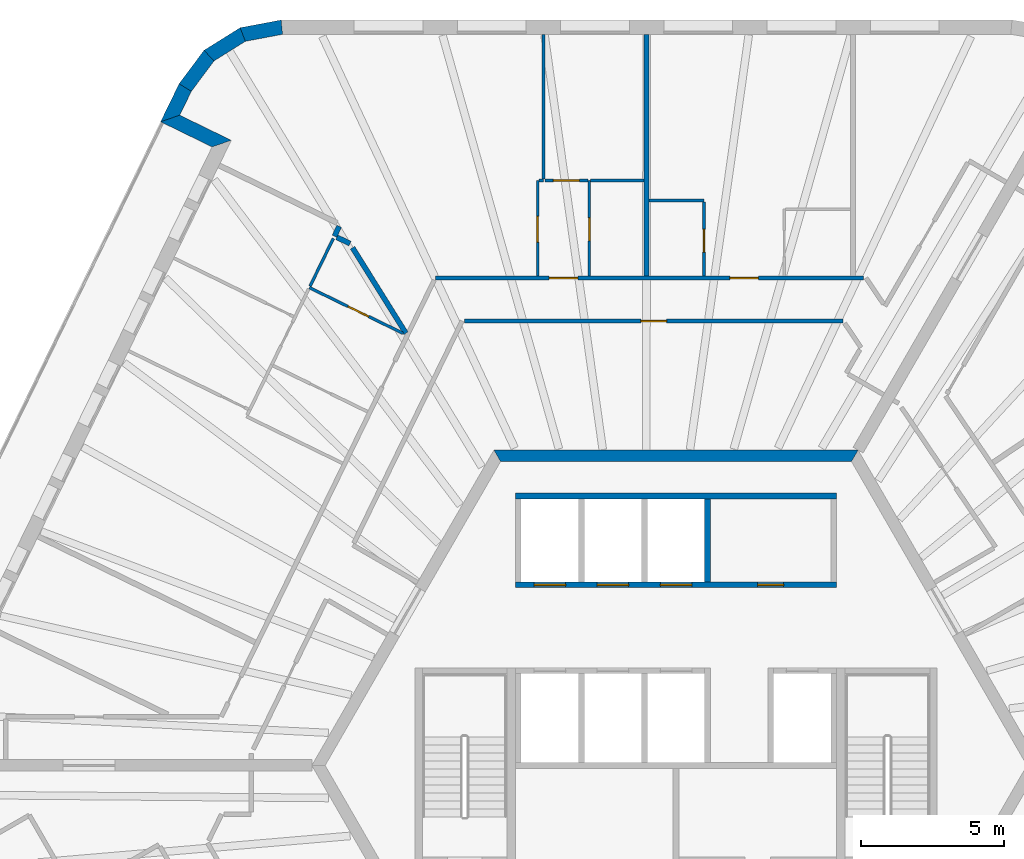
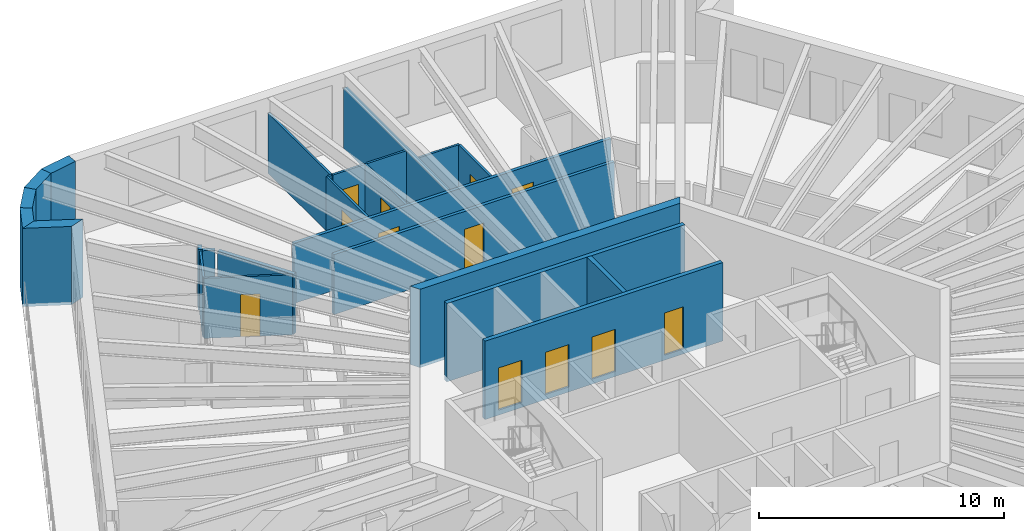
# One storey, part 9 of 12: 25 walls, 12 doors, 12 openings.
"""IFC4 building model written with IfcOpenShell, lengths in metres."""

from ifc_helpers import new_model, si_unit, direction, frame, frame_2d, origin, place, context, subcontext, project, spatial, polyline, rectangle, outline, extrude, material, layer, layer_set, type_object, element, fill, save


model = new_model("IFC4")

# Units and contexts
model_context = context("Model", 3, precision=1e-05, world=origin(), true_north=direction((0.0, 1.0)))
body_context = subcontext(model_context, "Body", "Model", "MODEL_VIEW")
ifc_project = project(units=[si_unit("LENGTHUNIT", "METRE"), si_unit("AREAUNIT", "SQUARE_METRE"), si_unit("VOLUMEUNIT", "CUBIC_METRE"), si_unit("PLANEANGLEUNIT", "RADIAN"), si_unit("MASSUNIT", "GRAM", prefix="KILO")], contexts=[model_context])

# Site, building, storey
site_placement = place(None, origin())
site = spatial("IfcSite", under=ifc_project, at=site_placement, CompositionType="ELEMENT")
building_placement = place(site_placement, origin())
building = spatial("IfcBuilding", under=site, at=building_placement, Name="Tarnside Tower", CompositionType="ELEMENT")
storey_placement = place(building_placement, frame((0.0, 0.0, 295.199951171875)))
storey = spatial("IfcBuildingStorey", under=building, at=storey_placement, Name="L71", CompositionType="ELEMENT", Elevation=295.199951171875)

# Wall
ifc_material_1 = material(Name="Gypsum board partition on steel studs", Category="steel")
ifc_layer_1 = layer(ifc_material_1, 0.10009765625)
ifc_layer_set_1 = layer_set([ifc_layer_1], Name="Bathroom wall 100")
wall_type_1 = type_object("IfcWallType", Name="Bathroom wall 100", PredefinedType="PARTITIONING", material=ifc_layer_set_1)
wall_1_placement = place(storey_placement, frame((-0.934814453125, 19.699951171875, 0.0), z_axis=(0.0, 0.0, 1.0), x_axis=(1.0, 0.0, 0.0)))
element("IfcWall", 1, at=wall_1_placement, inside=storey, type_object=wall_type_1, Name="Bathroom wall 23083", PredefinedType="PARTITIONING", context=body_context, shape_type="SweptSolid", body=[
    extrude(rectangle(XDim=1.909912109375, YDim=0.10009765625, at=frame_2d((0.955078125, 0.0))), origin(), (0.0, 0.0, 1.0), 2.98779296875),
])

# Wall, opening, door
wall_2_placement = place(storey_placement, frame((0.97509765625, 19.64990234375, 0.0), z_axis=(0.0, 0.0, 1.0), x_axis=(0.0, -1.0, 0.0)))
wall_2 = element("IfcWall", 2, at=wall_2_placement, inside=storey, type_object=wall_type_1, Name="Bathroom wall 23084", PredefinedType="PARTITIONING", context=body_context, shape_type="SweptSolid", body=[
    extrude(rectangle(XDim=2.574951171875, YDim=0.10009765625, at=frame_2d((1.28759765625, 0.0))), origin(), (0.0, 0.0, 1.0), 2.98779296875),
])
opening_1_placement = place(wall_2_placement, frame((0.949951171875, 0.0, 0.0)))
opening_1 = element("IfcOpeningElement", 3, at=opening_1_placement, cuts=wall_2, Name="Opening D-B1", PredefinedType="OPENING", context=body_context, shape_type="SweptSolid", body=[
    extrude(rectangle(XDim=0.800048828125, YDim=2.10009765625, at=frame_2d((0.39990234375, 1.050048828125))), frame((0.0, 0.06005859375, 0.0), z_axis=(0.0, -1.0, 0.0), x_axis=(1.0, 0.0, 0.0)), (0.0, 0.0, 1.0), 0.1201171875),
])
ifc_material_2 = material(Name="Timber door leaf", Category="wood")
door_type_1 = type_object("IfcDoorType", Name="Bathroom door 800", OperationType="NOTDEFINED", PredefinedType="DOOR", material=ifc_material_2)
door_1_placement = place(opening_1_placement, origin())
door_1 = element("IfcDoor", 4, at=door_1_placement, inside=storey, type_object=door_type_1, Name="Bathroom door 23003", OperationType="SINGLE_SWING_LEFT", OverallHeight=2.10009765625, OverallWidth=0.800048828125, PredefinedType="DOOR", context=body_context, shape_type="SweptSolid", body=[
    extrude(rectangle(XDim=0.800048828125, YDim=2.10009765625, at=frame_2d((0.39990234375, 1.050048828125))), frame((0.0, 0.02490234375, 0.0), z_axis=(0.0, -1.0, 0.0), x_axis=(1.0, 0.0, 0.0)), (0.0, 0.0, 1.0), 0.050048828125),
])
fill(opening_1, door_1)

wall_3_placement = place(storey_placement, frame((-3.02490234375, 17.074951171875, 0.0), z_axis=(0.0, 0.0, 1.0), x_axis=(0.0, 1.0, 0.0)))
wall_3 = element("IfcWall", 5, at=wall_3_placement, inside=storey, type_object=wall_type_1, Name="Bathroom wall 23097", PredefinedType="PARTITIONING", context=body_context, shape_type="SweptSolid", body=[
    extrude(rectangle(XDim=3.324951171875, YDim=0.10009765625, at=frame_2d((1.66259765625, 0.0))), origin(), (0.0, 0.0, 1.0), 2.98779296875),
])
opening_2_placement = place(wall_3_placement, frame((1.22509765625, 0.0, 0.0)))
opening_2 = element("IfcOpeningElement", 6, at=opening_2_placement, cuts=wall_3, Name="Opening D-B1", PredefinedType="OPENING", context=body_context, shape_type="SweptSolid", body=[
    extrude(rectangle(XDim=0.800048828125, YDim=2.10009765625, at=frame_2d((0.39990234375, 1.050048828125))), frame((0.0, 0.06005859375, 0.0), z_axis=(0.0, -1.0, 0.0), x_axis=(1.0, 0.0, 0.0)), (0.0, 0.0, 1.0), 0.1201171875),
])
door_2_placement = place(opening_2_placement, origin())
door_2 = element("IfcDoor", 7, at=door_2_placement, inside=storey, type_object=door_type_1, Name="Bathroom door 23006", OperationType="SINGLE_SWING_RIGHT", OverallHeight=2.10009765625, OverallWidth=0.800048828125, PredefinedType="DOOR", context=body_context, shape_type="SweptSolid", body=[
    extrude(rectangle(XDim=0.800048828125, YDim=2.10009765625, at=frame_2d((0.39990234375, 1.050048828125))), frame((0.0, 0.02490234375, 0.0), z_axis=(0.0, -1.0, 0.0), x_axis=(1.0, 0.0, 0.0)), (0.0, 0.0, 1.0), 0.050048828125),
])
fill(opening_2, door_2)

# Wall
wall_4_placement = place(storey_placement, frame((-1.11474609375, 20.39990234375, 0.0), z_axis=(0.0, 0.0, 1.0), x_axis=(-1.0, 0.0, 0.0)))
element("IfcWall", 8, at=wall_4_placement, inside=storey, type_object=wall_type_1, Name="Bathroom wall 23099", PredefinedType="PARTITIONING", context=body_context, shape_type="SweptSolid", body=[
    extrude(rectangle(XDim=1.862060546875, YDim=0.10009765625, at=frame_2d((0.93115234375, 0.0))), origin(), (0.0, 0.0, 1.0), 2.98779296875),
])

# Wall, opening, door
wall_5_placement = place(storey_placement, frame((-9.525634765625, 15.074462890625, 0.0), z_axis=(0.0, 0.0, 1.0), x_axis=(-0.898808514517, 0.438341481304, 0.0)))
wall_5 = element("IfcWall", 9, at=wall_5_placement, inside=storey, type_object=wall_type_1, Name="Bathroom wall 23107", PredefinedType="PARTITIONING", context=body_context, shape_type="SweptSolid", body=[
    extrude(rectangle(XDim=3.63037109375, YDim=0.10009765625, at=frame_2d((1.815185546875, 0.0))), origin(), (0.0, 0.0, 1.0), 2.98779296875),
])
opening_3_placement = place(wall_5_placement, frame((1.330078125, 0.0, 0.0)))
opening_3 = element("IfcOpeningElement", 10, at=opening_3_placement, cuts=wall_5, Name="Opening D-B1", PredefinedType="OPENING", context=body_context, shape_type="SweptSolid", body=[
    extrude(rectangle(XDim=0.800048828125, YDim=2.10009765625, at=frame_2d((0.39990234375, 1.050048828125))), frame((0.0, 0.06005859375, 0.0), z_axis=(0.0, -1.0, 0.0), x_axis=(1.0, 0.0, 0.0)), (0.0, 0.0, 1.0), 0.1201171875),
])
door_3_placement = place(opening_3_placement, origin())
door_3 = element("IfcDoor", 11, at=door_3_placement, inside=storey, type_object=door_type_1, Name="Bathroom door 23019", OperationType="SINGLE_SWING_RIGHT", OverallHeight=2.10009765625, OverallWidth=0.800048828125, PredefinedType="DOOR", context=body_context, shape_type="SweptSolid", body=[
    extrude(rectangle(XDim=0.800048828125, YDim=2.10009765625, at=frame_2d((0.39990234375, 1.050048828125))), frame((0.0, 0.02490234375, 0.0), z_axis=(0.0, -1.0, 0.0), x_axis=(1.0, 0.0, 0.0)), (0.0, 0.0, 1.0), 0.050048828125),
])
fill(opening_3, door_3)

# Walls
wall_6_placement = place(storey_placement, frame((-12.7666015625, 16.710693359375, 0.0), z_axis=(0.0, 0.0, 1.0), x_axis=(0.438371913736, 0.898793672234, 0.0)))
element("IfcWall", 12, at=wall_6_placement, inside=storey, type_object=wall_type_1, Name="Bathroom wall 23110", PredefinedType="PARTITIONING", context=body_context, shape_type="SweptSolid", body=[
    extrude(rectangle(XDim=1.860107421875, YDim=0.10009765625, at=frame_2d((0.93017578125, 0.0))), origin(), (0.0, 0.0, 1.0), 2.98779296875),
])
ifc_material_3 = material(Name="Concrete C60/75", Category="concrete")
ifc_layer_2 = layer(ifc_material_3, 0.39990234375)
ifc_layer_set_2 = layer_set([ifc_layer_2], Name="Core wall Z3 400 C60/75")
wall_type_2 = type_object("IfcWallType", Name="Core wall Z3 400 C60/75", PredefinedType="SHEAR", material=ifc_layer_set_2)
wall_7_placement = place(storey_placement, frame((6.2353515625, 10.800048828125, -0.14990234375), z_axis=(0.0, 0.0, 1.0), x_axis=(-1.0, 0.0, 0.0)))
element("IfcWall", 13, at=wall_7_placement, inside=storey, type_object=wall_type_2, Name="L71 core wall face 1", PredefinedType="SHEAR", context=body_context, shape_type="SweptSolid", body=[
    extrude(outline(polyline([(-0.115478515625, -0.199951171875), (12.586181640625, -0.199951171875), (12.355224609375, 0.199951171875), (0.115478515625, 0.199951171875), (-0.115478515625, -0.199951171875)])), origin(), (0.0, 0.0, 1.0), 3.89990234375),
])

# Wall, openings, doors
ifc_layer_3 = layer(ifc_material_1, 0.14990234375)
ifc_layer_set_3 = layer_set([ifc_layer_3], Name="Corridor wall 150 EI 60")
wall_type_3 = type_object("IfcWallType", Name="Corridor wall 150 EI 60", PredefinedType="PARTITIONING", material=ifc_layer_set_3)
wall_8_placement = place(storey_placement, frame((6.5361328125, 17.0, 0.0), z_axis=(0.0, 0.0, 1.0), x_axis=(-1.0, 0.0, 0.0)))
wall_8 = element("IfcWall", 14, at=wall_8_placement, inside=storey, type_object=wall_type_3, Name="Corridor wall 23004", PredefinedType="PARTITIONING", context=body_context, shape_type="SweptSolid", body=[
    extrude(rectangle(XDim=14.93359375, YDim=0.14990234375, at=frame_2d((7.466796875, 0.0))), origin(), (0.0, 0.0, 1.0), 2.98779296875),
])
opening_4_placement = place(wall_8_placement, frame((3.660888671875, 0.0, 0.0)))
opening_4 = element("IfcOpeningElement", 15, at=opening_4_placement, cuts=wall_8, Name="Opening D-E1", PredefinedType="OPENING", context=body_context, shape_type="SweptSolid", body=[
    extrude(rectangle(XDim=1.0, YDim=2.10009765625, at=frame_2d((0.5, 1.050048828125))), frame((0.0, 0.0849609375, 0.0), z_axis=(0.0, -1.0, 0.0), x_axis=(1.0, 0.0, 0.0)), (0.0, 0.0, 1.0), 0.169921875),
])
opening_5_placement = place(wall_8_placement, frame((9.9609375, 0.0, 0.0)))
opening_5 = element("IfcOpeningElement", 16, at=opening_5_placement, cuts=wall_8, Name="Opening D-E1", PredefinedType="OPENING", context=body_context, shape_type="SweptSolid", body=[
    extrude(rectangle(XDim=1.0, YDim=2.10009765625, at=frame_2d((0.5, 1.050048828125))), frame((0.0, 0.0849609375, 0.0), z_axis=(0.0, -1.0, 0.0), x_axis=(1.0, 0.0, 0.0)), (0.0, 0.0, 1.0), 0.169921875),
])
door_type_2 = type_object("IfcDoorType", Name="Unit entrance door 1000 FD30S", OperationType="NOTDEFINED", PredefinedType="DOOR", material=ifc_material_2)
door_4_placement = place(opening_4_placement, origin())
door_4 = element("IfcDoor", 17, at=door_4_placement, inside=storey, type_object=door_type_2, Name="Unit door 23002", OperationType="SINGLE_SWING_LEFT", OverallHeight=2.10009765625, OverallWidth=1.0, PredefinedType="DOOR", context=body_context, shape_type="SweptSolid", body=[
    extrude(rectangle(XDim=1.0, YDim=2.10009765625, at=frame_2d((0.5, 1.050048828125))), frame((0.0, 0.02490234375, 0.0), z_axis=(0.0, -1.0, 0.0), x_axis=(1.0, 0.0, 0.0)), (0.0, 0.0, 1.0), 0.050048828125),
])
fill(opening_4, door_4)
door_5_placement = place(opening_5_placement, origin())
door_5 = element("IfcDoor", 18, at=door_5_placement, inside=storey, type_object=door_type_2, Name="Unit door 23005", OperationType="SINGLE_SWING_RIGHT", OverallHeight=2.10009765625, OverallWidth=1.0, PredefinedType="DOOR", context=body_context, shape_type="SweptSolid", body=[
    extrude(rectangle(XDim=1.0, YDim=2.10009765625, at=frame_2d((0.5, 1.050048828125))), frame((0.0, 0.02490234375, 0.0), z_axis=(0.0, -1.0, 0.0), x_axis=(1.0, 0.0, 0.0)), (0.0, 0.0, 1.0), 0.050048828125),
])
fill(opening_5, door_5)

# Wall, opening, door
wall_9_placement = place(storey_placement, frame((-7.376708984375, 15.5, 0.0), z_axis=(0.0, 0.0, 1.0), x_axis=(1.0, 0.0, 0.0)))
wall_9 = element("IfcWall", 19, at=wall_9_placement, inside=storey, type_object=wall_type_3, Name="Corridor wall 23021", PredefinedType="PARTITIONING", context=body_context, shape_type="SweptSolid", body=[
    extrude(rectangle(XDim=13.205810546875, YDim=0.14990234375, at=frame_2d((6.60302734375, 0.0))), origin(), (0.0, 0.0, 1.0), 2.98779296875),
])
opening_6_placement = place(wall_9_placement, frame((6.15283203125, 0.0, 0.0)))
opening_6 = element("IfcOpeningElement", 20, at=opening_6_placement, cuts=wall_9, Name="Opening D-S1", PredefinedType="OPENING", context=body_context, shape_type="SweptSolid", body=[
    extrude(rectangle(XDim=0.89990234375, YDim=2.10009765625, at=frame_2d((0.449951171875, 1.050048828125))), frame((0.0, 0.0849609375, 0.0), z_axis=(0.0, -1.0, 0.0), x_axis=(1.0, 0.0, 0.0)), (0.0, 0.0, 1.0), 0.169921875),
])
door_type_3 = type_object("IfcDoorType", Name="Service room door 900 FD30S", OperationType="NOTDEFINED", PredefinedType="DOOR", material=ifc_material_2)
door_6_placement = place(opening_6_placement, origin())
door_6 = element("IfcDoor", 21, at=door_6_placement, inside=storey, type_object=door_type_3, Name="Service door 23058", OperationType="SINGLE_SWING_LEFT", OverallHeight=2.10009765625, OverallWidth=0.89990234375, PredefinedType="DOOR", context=body_context, shape_type="SweptSolid", body=[
    extrude(rectangle(XDim=0.89990234375, YDim=2.10009765625, at=frame_2d((0.449951171875, 1.050048828125))), frame((0.0, 0.02490234375, 0.0), z_axis=(0.0, -1.0, 0.0), x_axis=(1.0, 0.0, 0.0)), (0.0, 0.0, 1.0), 0.050048828125),
])
fill(opening_6, door_6)

# Walls
ifc_layer_4 = layer(ifc_material_1, 0.179931640625)
ifc_layer_set_4 = layer_set([ifc_layer_4], Name="Demising wall 180 EI 60")
wall_type_4 = type_object("IfcWallType", Name="Demising wall 180 EI 60", PredefinedType="PARTITIONING", material=ifc_layer_set_4)
wall_10_placement = place(storey_placement, frame((-1.02490234375, 25.5, 0.0), z_axis=(0.0, 0.0, 1.0), x_axis=(0.0, -1.0, 0.0)))
element("IfcWall", 22, at=wall_10_placement, inside=storey, type_object=wall_type_4, Name="Demising wall 23087", PredefinedType="PARTITIONING", context=body_context, shape_type="SweptSolid", body=[
    extrude(rectangle(XDim=8.425048828125, YDim=0.179931640625, at=frame_2d((4.21240234375, 0.0))), origin(), (0.0, 0.0, 1.0), 2.98779296875),
])
wall_11_placement = place(storey_placement, frame((-11.74755859375, 18.800048828125, 0.0), z_axis=(0.0, 0.0, 1.0), x_axis=(-0.438410910916, -0.89877465095, 0.0)))
element("IfcWall", 23, at=wall_11_placement, inside=storey, type_object=wall_type_4, Name="Demising wall 23094", PredefinedType="PARTITIONING", context=body_context, shape_type="SweptSolid", body=[
    extrude(rectangle(XDim=0.378173828125, YDim=0.179931640625, at=frame_2d((0.18896484375, 0.0))), origin(), (0.0, 0.0, 1.0), 2.98779296875),
])
wall_12_placement = place(storey_placement, frame((-11.830810546875, 18.423828125, 0.0), z_axis=(0.0, 0.0, 1.0), x_axis=(0.898888206261, -0.438178037612, 0.0)))
element("IfcWall", 24, at=wall_12_placement, inside=storey, type_object=wall_type_4, Name="Demising wall 23095", PredefinedType="PARTITIONING", context=body_context, shape_type="SweptSolid", body=[
    extrude(rectangle(XDim=0.50927734375, YDim=0.179931640625, at=frame_2d((0.254638671875, 0.0))), origin(), (0.0, 0.0, 1.0), 2.98779296875),
])
wall_13_placement = place(storey_placement, frame((-11.282958984375, 18.056640625, 0.0), z_axis=(0.0, 0.0, 1.0), x_axis=(0.529892826056, -0.84806461599, 0.0)))
element("IfcWall", 25, at=wall_13_placement, inside=storey, type_object=wall_type_4, Name="Demising wall 23096", PredefinedType="PARTITIONING", context=body_context, shape_type="SweptSolid", body=[
    extrude(rectangle(XDim=3.515869140625, YDim=0.179931640625, at=frame_2d((1.7578125, 0.0))), origin(), (0.0, 0.0, 1.0), 2.98779296875),
])

# Wall, openings, doors
ifc_material_4 = material(Name="Concrete C40/50", Category="concrete")
ifc_layer_5 = layer(ifc_material_4, 0.199951171875)
ifc_layer_set_5 = layer_set([ifc_layer_5], Name="Lift shaft wall 200 C40/50")
wall_type_5 = type_object("IfcWallType", Name="Lift shaft wall 200 C40/50", PredefinedType="SHEAR", material=ifc_layer_set_5)
wall_14_placement = place(storey_placement, frame((-5.60009765625, 6.300048828125, -0.25), z_axis=(0.0, 0.0, 1.0), x_axis=(1.0, 0.0, 0.0)))
wall_14 = element("IfcWall", 26, at=wall_14_placement, inside=storey, type_object=wall_type_5, Name="L71 lift shaft front wall R1", PredefinedType="SHEAR", context=body_context, shape_type="SweptSolid", body=[
    extrude(rectangle(XDim=11.2001953125, YDim=0.199951171875, at=frame_2d((5.60009765625, 0.0))), origin(), (0.0, 0.0, 1.0), 3.900146484375),
])
opening_7_placement = place(wall_14_placement, frame((8.449951171875, 0.0, 0.25)))
opening_7 = element("IfcOpeningElement", 27, at=opening_7_placement, cuts=wall_14, Name="Opening CD-room", PredefinedType="OPENING", context=body_context, shape_type="SweptSolid", body=[
    extrude(rectangle(XDim=0.89990234375, YDim=2.10009765625, at=frame_2d((0.449951171875, 1.050048828125))), frame((0.0, 0.10986328125, 0.0), z_axis=(0.0, -1.0, 0.0), x_axis=(1.0, 0.0, 0.0)), (0.0, 0.0, 1.0), 0.219970703125),
])
opening_8_placement = place(wall_14_placement, frame((0.64990234375, 0.0, 0.25)))
opening_8 = element("IfcOpeningElement", 28, at=opening_8_placement, cuts=wall_14, Name="Opening LD", PredefinedType="OPENING", context=body_context, shape_type="SweptSolid", body=[
    extrude(rectangle(XDim=1.10009765625, YDim=2.10009765625, at=frame_2d((0.550048828125, 1.050048828125))), frame((0.0, 0.10986328125, 0.0), z_axis=(0.0, -1.0, 0.0), x_axis=(1.0, 0.0, 0.0)), (0.0, 0.0, 1.0), 0.219970703125),
])
opening_9_placement = place(wall_14_placement, frame((2.85009765625, 0.0, 0.25)))
opening_9 = element("IfcOpeningElement", 29, at=opening_9_placement, cuts=wall_14, Name="Opening LD", PredefinedType="OPENING", context=body_context, shape_type="SweptSolid", body=[
    extrude(rectangle(XDim=1.10009765625, YDim=2.10009765625, at=frame_2d((0.550048828125, 1.050048828125))), frame((0.0, 0.10986328125, 0.0), z_axis=(0.0, -1.0, 0.0), x_axis=(1.0, 0.0, 0.0)), (0.0, 0.0, 1.0), 0.219970703125),
])
opening_10_placement = place(wall_14_placement, frame((5.050048828125, 0.0, 0.25)))
opening_10 = element("IfcOpeningElement", 30, at=opening_10_placement, cuts=wall_14, Name="Opening LD", PredefinedType="OPENING", context=body_context, shape_type="SweptSolid", body=[
    extrude(rectangle(XDim=1.10009765625, YDim=2.10009765625, at=frame_2d((0.550048828125, 1.050048828125))), frame((0.0, 0.10986328125, 0.0), z_axis=(0.0, -1.0, 0.0), x_axis=(1.0, 0.0, 0.0)), (0.0, 0.0, 1.0), 0.219970703125),
])
ifc_material_5 = material(Name="Stainless steel", Category="steel")
door_type_4 = type_object("IfcDoorType", Name="Lift landing door 1100x2100", OperationType="NOTDEFINED", PredefinedType="DOOR", material=ifc_material_5)
door_7_placement = place(opening_8_placement, origin())
door_7 = element("IfcDoor", 31, at=door_7_placement, inside=storey, type_object=door_type_4, Name="High-rise lift 1 landing door L71", OperationType="SLIDING_TO_LEFT", OverallHeight=2.10009765625, OverallWidth=1.10009765625, PredefinedType="DOOR", context=body_context, shape_type="SweptSolid", body=[
    extrude(rectangle(XDim=1.10009765625, YDim=2.10009765625, at=frame_2d((0.550048828125, 1.050048828125))), frame((0.0, 0.02490234375, 0.0), z_axis=(0.0, -1.0, 0.0), x_axis=(1.0, 0.0, 0.0)), (0.0, 0.0, 1.0), 0.050048828125),
])
fill(opening_8, door_7)
door_8_placement = place(opening_9_placement, origin())
door_8 = element("IfcDoor", 32, at=door_8_placement, inside=storey, type_object=door_type_4, Name="High-rise lift 2 landing door L71", OperationType="SLIDING_TO_LEFT", OverallHeight=2.10009765625, OverallWidth=1.10009765625, PredefinedType="DOOR", context=body_context, shape_type="SweptSolid", body=[
    extrude(rectangle(XDim=1.10009765625, YDim=2.10009765625, at=frame_2d((0.550048828125, 1.050048828125))), frame((0.0, 0.02490234375, 0.0), z_axis=(0.0, -1.0, 0.0), x_axis=(1.0, 0.0, 0.0)), (0.0, 0.0, 1.0), 0.050048828125),
])
fill(opening_9, door_8)
door_9_placement = place(opening_10_placement, origin())
door_9 = element("IfcDoor", 33, at=door_9_placement, inside=storey, type_object=door_type_4, Name="High-rise lift 3 landing door L71", OperationType="SLIDING_TO_LEFT", OverallHeight=2.10009765625, OverallWidth=1.10009765625, PredefinedType="DOOR", context=body_context, shape_type="SweptSolid", body=[
    extrude(rectangle(XDim=1.10009765625, YDim=2.10009765625, at=frame_2d((0.550048828125, 1.050048828125))), frame((0.0, 0.02490234375, 0.0), z_axis=(0.0, -1.0, 0.0), x_axis=(1.0, 0.0, 0.0)), (0.0, 0.0, 1.0), 0.050048828125),
])
fill(opening_10, door_9)
ifc_material_6 = material(Name="Steel fire door", Category="steel")
door_type_5 = type_object("IfcDoorType", Name="Room door FD60 900x2100", OperationType="NOTDEFINED", PredefinedType="DOOR", material=ifc_material_6)
door_10_placement = place(opening_7_placement, origin())
door_10 = element("IfcDoor", 34, at=door_10_placement, inside=storey, type_object=door_type_5, Name="L71 core room door FC1", OperationType="SINGLE_SWING_LEFT", OverallHeight=2.10009765625, OverallWidth=0.89990234375, PredefinedType="DOOR", context=body_context, shape_type="SweptSolid", body=[
    extrude(rectangle(XDim=0.89990234375, YDim=2.10009765625, at=frame_2d((0.449951171875, 1.050048828125))), frame((0.0, 0.02490234375, 0.0), z_axis=(0.0, -1.0, 0.0), x_axis=(1.0, 0.0, 0.0)), (0.0, 0.0, 1.0), 0.050048828125),
])
fill(opening_7, door_10)

# Walls
wall_15_placement = place(storey_placement, frame((-5.60009765625, 9.39990234375, -0.25), z_axis=(0.0, 0.0, 1.0), x_axis=(1.0, 0.0, 0.0)))
element("IfcWall", 35, at=wall_15_placement, inside=storey, type_object=wall_type_5, Name="L71 lift shaft back wall R1", PredefinedType="SHEAR", context=body_context, shape_type="SweptSolid", body=[
    extrude(rectangle(XDim=11.2001953125, YDim=0.199951171875, at=frame_2d((5.60009765625, 0.0))), origin(), (0.0, 0.0, 1.0), 3.900146484375),
])
wall_16_placement = place(storey_placement, frame((1.10009765625, 6.39990234375, -0.25), z_axis=(0.0, 0.0, 1.0), x_axis=(0.0, 1.0, 0.0)))
element("IfcWall", 36, at=wall_16_placement, inside=storey, type_object=wall_type_5, Name="L71 lift shaft partition R14", PredefinedType="SHEAR", context=body_context, shape_type="SweptSolid", body=[
    extrude(rectangle(XDim=2.900146484375, YDim=0.199951171875, at=frame_2d((1.4501953125, 0.0))), origin(), (0.0, 0.0, 1.0), 3.900146484375),
])
ifc_material_7 = material(Name="Dark zinc cladding")
ifc_layer_6 = layer(ifc_material_7, 0.10205078125)
ifc_material_8 = material(Name="Concrete C60/75 precast", Category="concrete")
ifc_layer_7 = layer(ifc_material_8, 0.298095703125)
ifc_material_9 = material(Name="Mineral wool insulation")
ifc_layer_8 = layer(ifc_material_9, 0.10009765625)
ifc_layer_set_6 = layer_set([ifc_layer_6, ifc_layer_7, ifc_layer_8], Name="Loggia wall 500 zinc faced")
wall_type_6 = type_object("IfcWallType", Name="Loggia wall 500 zinc faced", PredefinedType="SOLIDWALL", material=ifc_layer_set_6)
wall_17_placement = place(storey_placement, frame((-17.11767578125, 23.643798828125, -0.14990234375), z_axis=(0.0, 0.0, 1.0), x_axis=(-0.438319390103, -0.898819287877, 0.0)))
element("IfcWall", 37, at=wall_17_placement, inside=storey, type_object=wall_type_6, Name="Tube wall L71 F2 stub 04", PredefinedType="SOLIDWALL", context=body_context, shape_type="SweptSolid", body=[
    extrude(outline(polyline([(-0.0234375, -0.25), (1.44970703125, -0.25), (0.94970703125, 0.25), (0.0234375, 0.25), (-0.0234375, -0.25)])), origin(), (0.0, 0.0, 1.0), 3.89990234375),
])
wall_18_placement = place(storey_placement, frame((-17.6435546875, 22.5654296875, -0.14990234375), z_axis=(0.0, 0.0, 1.0), x_axis=(0.898754367686, -0.43845249066, 0.0)))
element("IfcWall", 38, at=wall_18_placement, inside=storey, type_object=wall_type_6, Name="Tube wall L71 F2 return 05", PredefinedType="SOLIDWALL", context=body_context, shape_type="SweptSolid", body=[
    extrude(outline(polyline([(-0.25, -0.25), (1.75, -0.25), (2.25, 0.25), (0.25, 0.25), (-0.25, -0.25)])), origin(), (0.0, 0.0, 1.0), 3.89990234375),
])

# Wall, opening, door
ifc_layer_9 = layer(ifc_material_1, 0.10009765625)
ifc_layer_set_7 = layer_set([ifc_layer_9], Name="Partition 100")
wall_type_7 = type_object("IfcWallType", Name="Partition 100", PredefinedType="PARTITIONING", material=ifc_layer_set_7)
wall_19_placement = place(storey_placement, frame((-4.82470703125, 17.074951171875, 0.0), z_axis=(0.0, 0.0, 1.0), x_axis=(0.0, 1.0, 0.0)))
wall_19 = element("IfcWall", 39, at=wall_19_placement, inside=storey, type_object=wall_type_7, Name="Partition wall 23090", PredefinedType="PARTITIONING", context=body_context, shape_type="SweptSolid", body=[
    extrude(rectangle(XDim=3.324951171875, YDim=0.10009765625, at=frame_2d((1.66259765625, 0.0))), origin(), (0.0, 0.0, 1.0), 2.98779296875),
])
opening_11_placement = place(wall_19_placement, frame((1.175048828125, 0.0, 0.0)))
opening_11 = element("IfcOpeningElement", 40, at=opening_11_placement, cuts=wall_19, Name="Opening D-I1", PredefinedType="OPENING", context=body_context, shape_type="SweptSolid", body=[
    extrude(rectangle(XDim=0.89990234375, YDim=2.10009765625, at=frame_2d((0.449951171875, 1.050048828125))), frame((0.0, 0.06005859375, 0.0), z_axis=(0.0, -1.0, 0.0), x_axis=(1.0, 0.0, 0.0)), (0.0, 0.0, 1.0), 0.1201171875),
])
door_type_6 = type_object("IfcDoorType", Name="Internal door 900", OperationType="NOTDEFINED", PredefinedType="DOOR", material=ifc_material_2)
door_11_placement = place(opening_11_placement, origin())
door_11 = element("IfcDoor", 41, at=door_11_placement, inside=storey, type_object=door_type_6, Name="Internal door 23007", OperationType="SINGLE_SWING_RIGHT", OverallHeight=2.10009765625, OverallWidth=0.89990234375, PredefinedType="DOOR", context=body_context, shape_type="SweptSolid", body=[
    extrude(rectangle(XDim=0.89990234375, YDim=2.10009765625, at=frame_2d((0.449951171875, 1.050048828125))), frame((0.0, 0.02490234375, 0.0), z_axis=(0.0, -1.0, 0.0), x_axis=(1.0, 0.0, 0.0)), (0.0, 0.0, 1.0), 0.050048828125),
])
fill(opening_11, door_11)

# Walls
wall_20_placement = place(storey_placement, frame((-4.77490234375, 20.39990234375, 0.0), z_axis=(0.0, 0.0, 1.0), x_axis=(1.0, 0.0, 0.0)))
element("IfcWall", 42, at=wall_20_placement, inside=storey, type_object=wall_type_7, Name="Partition wall 23091", PredefinedType="PARTITIONING", context=body_context, shape_type="SweptSolid", body=[
    extrude(rectangle(XDim=0.152099609375, YDim=0.10009765625, at=frame_2d((0.076171875, 0.0))), origin(), (0.0, 0.0, 1.0), 2.98779296875),
])
wall_21_placement = place(storey_placement, frame((-4.624755859375, 20.449951171875, 0.0), z_axis=(0.0, 0.0, 1.0), x_axis=(0.0, 1.0, 0.0)))
element("IfcWall", 43, at=wall_21_placement, inside=storey, type_object=wall_type_7, Name="Partition wall 23092", PredefinedType="PARTITIONING", context=body_context, shape_type="SweptSolid", body=[
    extrude(rectangle(XDim=5.050048828125, YDim=0.10009765625, at=frame_2d((2.52490234375, 0.0))), origin(), (0.0, 0.0, 1.0), 2.98779296875),
])

# Wall, opening, door
wall_22_placement = place(storey_placement, frame((-3.07275390625, 20.39990234375, 0.0), z_axis=(0.0, 0.0, 1.0), x_axis=(-1.0, 0.0, 0.0)))
wall_22 = element("IfcWall", 44, at=wall_22_placement, inside=storey, type_object=wall_type_7, Name="Partition wall 23098", PredefinedType="PARTITIONING", context=body_context, shape_type="SweptSolid", body=[
    extrude(rectangle(XDim=1.501953125, YDim=0.10009765625, at=frame_2d((0.7509765625, 0.0))), origin(), (0.0, 0.0, 1.0), 2.98779296875),
])
opening_12_placement = place(wall_22_placement, frame((0.302001953125, 0.0, 0.0)))
opening_12 = element("IfcOpeningElement", 45, at=opening_12_placement, cuts=wall_22, Name="Opening D-I1", PredefinedType="OPENING", context=body_context, shape_type="SweptSolid", body=[
    extrude(rectangle(XDim=0.89990234375, YDim=2.10009765625, at=frame_2d((0.449951171875, 1.050048828125))), frame((0.0, 0.06005859375, 0.0), z_axis=(0.0, -1.0, 0.0), x_axis=(1.0, 0.0, 0.0)), (0.0, 0.0, 1.0), 0.1201171875),
])
door_12_placement = place(opening_12_placement, origin())
door_12 = element("IfcDoor", 46, at=door_12_placement, inside=storey, type_object=door_type_6, Name="Internal door 23008", OperationType="SINGLE_SWING_RIGHT", OverallHeight=2.10009765625, OverallWidth=0.89990234375, PredefinedType="DOOR", context=body_context, shape_type="SweptSolid", body=[
    extrude(rectangle(XDim=0.89990234375, YDim=2.10009765625, at=frame_2d((0.449951171875, 1.050048828125))), frame((0.0, 0.02490234375, 0.0), z_axis=(0.0, -1.0, 0.0), x_axis=(1.0, 0.0, 0.0)), (0.0, 0.0, 1.0), 0.050048828125),
])
fill(opening_12, door_12)

# Walls
ifc_material_10 = material(Name="Facing brick", Category="masonry")
ifc_layer_10 = layer(ifc_material_10, 0.10205078125)
ifc_layer_11 = layer(ifc_material_8, 0.298095703125)
ifc_layer_12 = layer(ifc_material_9, 0.10009765625)
ifc_layer_set_8 = layer_set([ifc_layer_10, ifc_layer_11, ifc_layer_12], Name="Tube wall 500 brick faced")
wall_type_8 = type_object("IfcWallType", Name="Tube wall 500 brick faced", PredefinedType="SOLIDWALL", material=ifc_layer_set_8)
wall_23_placement = place(storey_placement, frame((-13.7470703125, 25.75, -0.14990234375), z_axis=(0.0, 0.0, 1.0), x_axis=(-0.982736538448, -0.185010529429, 0.0)))
element("IfcWall", 47, at=wall_23_placement, inside=storey, type_object=wall_type_8, Name="Tube wall L71 F1 chord 01", PredefinedType="SOLIDWALL", context=body_context, shape_type="SweptSolid", body=[
    extrude(outline(polyline([(-0.0234375, -0.25), (1.435302734375, -0.25), (1.341064453125, 0.25), (0.0234375, 0.25), (-0.0234375, -0.25)])), origin(), (0.0, 0.0, 1.0), 3.89990234375),
])
wall_24_placement = place(storey_placement, frame((-15.111328125, 25.4931640625, -0.14990234375), z_axis=(0.0, 0.0, 1.0), x_axis=(-0.847978544293, -0.530030554231, 0.0)))
element("IfcWall", 48, at=wall_24_placement, inside=storey, type_object=wall_type_8, Name="Tube wall L71 F1 chord 02", PredefinedType="SOLIDWALL", context=body_context, shape_type="SweptSolid", body=[
    extrude(outline(polyline([(-0.047119140625, -0.25), (1.435302734375, -0.25), (1.341064453125, 0.25), (0.047119140625, 0.25), (-0.047119140625, -0.25)])), origin(), (0.0, 0.0, 1.0), 3.89990234375),
])
wall_25_placement = place(storey_placement, frame((-16.28857421875, 24.75732421875, -0.14990234375), z_axis=(0.0, 0.0, 1.0), x_axis=(-0.597210785942, -0.802084332945, 0.0)))
element("IfcWall", 49, at=wall_25_placement, inside=storey, type_object=wall_type_8, Name="Tube wall L71 F1 chord 03", PredefinedType="SOLIDWALL", context=body_context, shape_type="SweptSolid", body=[
    extrude(outline(polyline([(-0.047119140625, -0.25), (1.41162109375, -0.25), (1.36474609375, 0.25), (0.047119140625, 0.25), (-0.047119140625, -0.25)])), origin(), (0.0, 0.0, 1.0), 3.89990234375),
])

save(model, "model.ifc")
